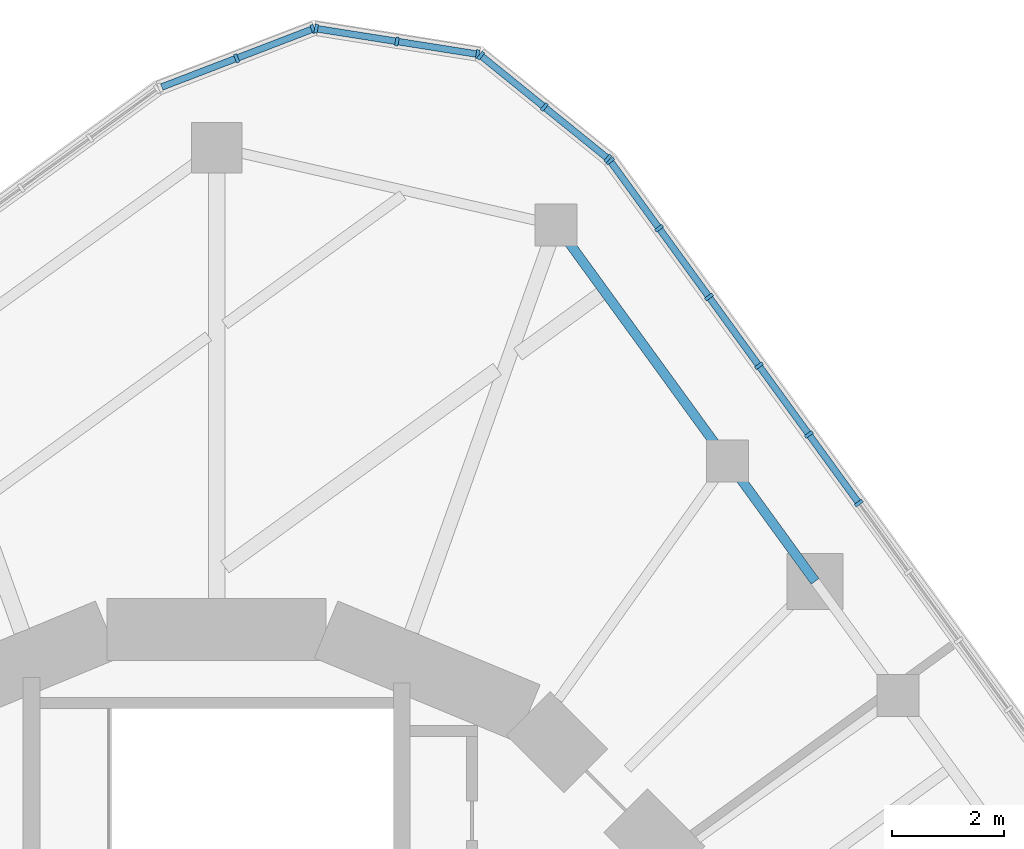
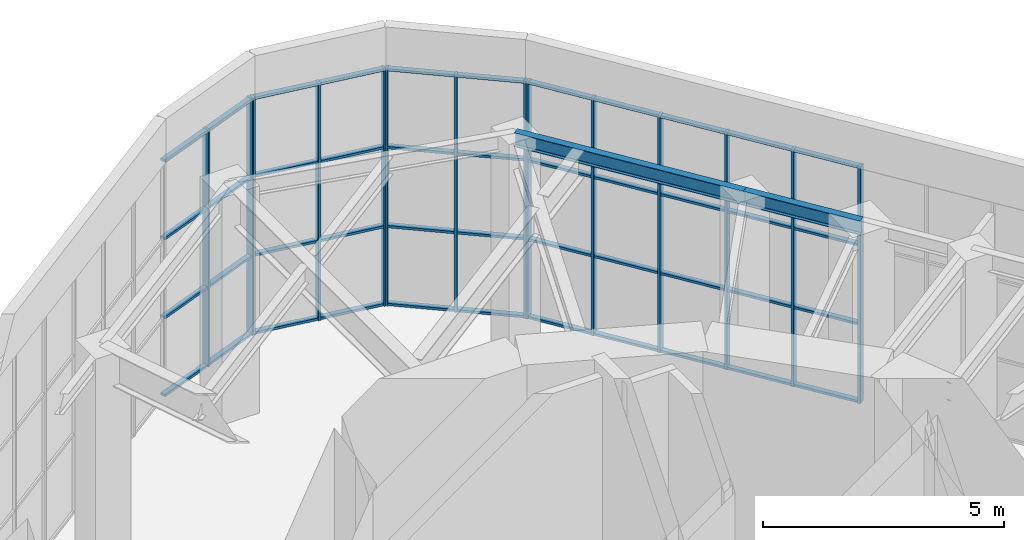
# One storey, part 10 of 17: 58 members, 2 beams, 4 elements without a shape of their own.
"""IFC4 building model written with IfcOpenShell, lengths in metres."""

from ifc_helpers import new_model, si_unit, direction, frame, origin, origin_2d, place, context, subcontext, project, spatial, rectangle, i_section, extrude, material, material_profile, profile_set, type_object, element, aggregate, save


model = new_model("IFC4")

# Units and contexts
model_context = context("Model", 3, precision=1e-05, world=origin(), true_north=direction((0.0, 1.0)))
body_context = subcontext(model_context, "Body", "Model", "MODEL_VIEW")
ifc_project = project(units=[si_unit("LENGTHUNIT", "METRE"), si_unit("AREAUNIT", "SQUARE_METRE"), si_unit("VOLUMEUNIT", "CUBIC_METRE"), si_unit("PLANEANGLEUNIT", "RADIAN"), si_unit("MASSUNIT", "GRAM", prefix="KILO")], contexts=[model_context])

# Site, building, storey
site_placement = place(None, origin())
site = spatial("IfcSite", under=ifc_project, at=site_placement, CompositionType="ELEMENT")
building_placement = place(site_placement, origin())
building = spatial("IfcBuilding", under=site, at=building_placement, Name="Nakasero Lantern House", CompositionType="ELEMENT")
storey_placement = place(building_placement, frame((0.0, 0.0, 304.39990234375)))
storey = spatial("IfcBuildingStorey", under=building, at=storey_placement, Name="L74", CompositionType="ELEMENT", Elevation=304.39990234375)

# Curtain wall, members
ifc_material_1 = material(Name="Aluminium 6063-T6 and glass", Category="aluminium")
curtain_wall_type = type_object("IfcCurtainWallType", Name="Lantern glazing CW-4", PredefinedType="USERDEFINED", material=ifc_material_1)
curtain_wall_1_placement = place(storey_placement, origin())
curtain_wall_1 = element("IfcCurtainWall", 1, at=curtain_wall_1_placement, inside=storey, type_object=curtain_wall_type, Name="Curtain wall CW-4 L74", ObjectType="UNITISED CURTAIN WALL", PredefinedType="USERDEFINED")
ifc_material_2 = material(Name="Aluminium 6063-T6", Category="aluminium")
ifc_material_profile_1 = material_profile(ifc_material_2, rectangle(XDim=0.06005859375, YDim=0.159912109375, at=origin_2d()), Name="CW-4 mullion 60x160")
ifc_profile_set_1 = profile_set([ifc_material_profile_1], Name="Aluminium 6063-T6")
member_type_1 = type_object("IfcMemberType", Name="Mullion CW-4", PredefinedType="MULLION", material=ifc_profile_set_1)
member_1_placement = place(storey_placement, frame((11.447265625, 12.060546875, 0.0), z_axis=(0.0, 0.0, 1.0), x_axis=(-0.587785252292, 0.809016994375, 0.0)))
member_1 = element("IfcMember", 2, at=member_1_placement, type_object=member_type_1, Name="CW-4 mullion 10", PredefinedType="MULLION", context=body_context, shape_type="SweptSolid", body=[
    extrude(rectangle(XDim=0.06005859375, YDim=0.159912109375, at=origin_2d()), origin(), (0.0, 0.0, 1.0), 6.0),
])
member_2_placement = place(storey_placement, frame((10.55712890625, 13.28564453125, 0.0), z_axis=(0.0, 0.0, 1.0), x_axis=(-0.587785252292, 0.809016994375, 0.0)))
member_2 = element("IfcMember", 3, at=member_2_placement, type_object=member_type_1, Name="CW-4 mullion 11", PredefinedType="MULLION", context=body_context, shape_type="SweptSolid", body=[
    extrude(rectangle(XDim=0.06005859375, YDim=0.159912109375, at=origin_2d()), origin(), (0.0, 0.0, 1.0), 6.0),
])
member_3_placement = place(storey_placement, frame((9.667236328125, 14.5107421875, 0.0), z_axis=(0.0, 0.0, 1.0), x_axis=(-0.587785252292, 0.809016994375, 0.0)))
member_3 = element("IfcMember", 4, at=member_3_placement, type_object=member_type_1, Name="CW-4 mullion 12", PredefinedType="MULLION", context=body_context, shape_type="SweptSolid", body=[
    extrude(rectangle(XDim=0.06005859375, YDim=0.159912109375, at=origin_2d()), origin(), (0.0, 0.0, 1.0), 6.0),
])
member_4_placement = place(storey_placement, frame((8.777099609375, 15.735595703125, 0.0), z_axis=(0.0, 0.0, 1.0), x_axis=(-0.587785252292, 0.809016994375, 0.0)))
member_4 = element("IfcMember", 5, at=member_4_placement, type_object=member_type_1, Name="CW-4 mullion 13", PredefinedType="MULLION", context=body_context, shape_type="SweptSolid", body=[
    extrude(rectangle(XDim=0.06005859375, YDim=0.159912109375, at=origin_2d()), origin(), (0.0, 0.0, 1.0), 6.0),
])
member_5_placement = place(storey_placement, frame((7.886962890625, 16.960693359375, 0.0), z_axis=(0.0, 0.0, 1.0), x_axis=(-0.587785252292, 0.809016994375, 0.0)))
member_5 = element("IfcMember", 6, at=member_5_placement, type_object=member_type_1, Name="CW-4 mullion 14", PredefinedType="MULLION", context=body_context, shape_type="SweptSolid", body=[
    extrude(rectangle(XDim=0.06005859375, YDim=0.159912109375, at=origin_2d()), origin(), (0.0, 0.0, 1.0), 6.0),
])
member_6_placement = place(storey_placement, frame((7.0146484375, 18.16162109375, 0.0), z_axis=(0.0, 0.0, 1.0), x_axis=(-0.587785252292, 0.809016994375, 0.0)))
member_6 = element("IfcMember", 7, at=member_6_placement, type_object=member_type_1, Name="CW-4 mullion 15", PredefinedType="MULLION", context=body_context, shape_type="SweptSolid", body=[
    extrude(rectangle(XDim=0.06005859375, YDim=0.159912109375, at=origin_2d()), origin(), (0.0, 0.0, 1.0), 6.0),
])

curtain_wall_2_placement = place(storey_placement, origin())
curtain_wall_2 = element("IfcCurtainWall", 8, at=curtain_wall_2_placement, inside=storey, type_object=curtain_wall_type, Name="Curtain wall CW-4 L74", ObjectType="UNITISED CURTAIN WALL", PredefinedType="USERDEFINED")
member_7_placement = place(storey_placement, frame((6.9736328125, 18.204833984375, 0.0), z_axis=(0.0, 0.0, 1.0), x_axis=(-0.777145961457, 0.62932039105, 0.0)))
member_7 = element("IfcMember", 9, at=member_7_placement, type_object=member_type_1, Name="CW-4 mullion 1", PredefinedType="MULLION", context=body_context, shape_type="SweptSolid", body=[
    extrude(rectangle(XDim=0.06005859375, YDim=0.159912109375, at=origin_2d()), origin(), (0.0, 0.0, 1.0), 6.0),
])
member_8_placement = place(storey_placement, frame((5.84033203125, 19.122314453125, 0.0), z_axis=(0.0, 0.0, 1.0), x_axis=(-0.777145961457, 0.62932039105, 0.0)))
member_8 = element("IfcMember", 10, at=member_8_placement, type_object=member_type_1, Name="CW-4 mullion 2", PredefinedType="MULLION", context=body_context, shape_type="SweptSolid", body=[
    extrude(rectangle(XDim=0.06005859375, YDim=0.159912109375, at=origin_2d()), origin(), (0.0, 0.0, 1.0), 6.0),
])
member_9_placement = place(storey_placement, frame((4.70703125, 20.0400390625, 0.0), z_axis=(0.0, 0.0, 1.0), x_axis=(-0.777145961457, 0.62932039105, 0.0)))
member_9 = element("IfcMember", 11, at=member_9_placement, type_object=member_type_1, Name="CW-4 mullion 3", PredefinedType="MULLION", context=body_context, shape_type="SweptSolid", body=[
    extrude(rectangle(XDim=0.06005859375, YDim=0.159912109375, at=origin_2d()), origin(), (0.0, 0.0, 1.0), 6.0),
])

curtain_wall_3_placement = place(storey_placement, origin())
curtain_wall_3 = element("IfcCurtainWall", 12, at=curtain_wall_3_placement, inside=storey, type_object=curtain_wall_type, Name="Curtain wall CW-4 L74", ObjectType="UNITISED CURTAIN WALL", PredefinedType="USERDEFINED")
member_10_placement = place(storey_placement, frame((4.654052734375, 20.063720703125, 0.0), z_axis=(0.0, 0.0, 1.0), x_axis=(-0.987688340595, 0.15643446504, 0.0)))
member_10 = element("IfcMember", 13, at=member_10_placement, type_object=member_type_1, Name="CW-4 mullion 1", PredefinedType="MULLION", context=body_context, shape_type="SweptSolid", body=[
    extrude(rectangle(XDim=0.06005859375, YDim=0.159912109375, at=origin_2d()), origin(), (0.0, 0.0, 1.0), 6.0),
])
member_11_placement = place(storey_placement, frame((3.2138671875, 20.291748046875, 0.0), z_axis=(0.0, 0.0, 1.0), x_axis=(-0.987688340595, 0.15643446504, 0.0)))
member_11 = element("IfcMember", 14, at=member_11_placement, type_object=member_type_1, Name="CW-4 mullion 2", PredefinedType="MULLION", context=body_context, shape_type="SweptSolid", body=[
    extrude(rectangle(XDim=0.06005859375, YDim=0.159912109375, at=origin_2d()), origin(), (0.0, 0.0, 1.0), 6.0),
])
member_12_placement = place(storey_placement, frame((1.773681640625, 20.52001953125, 0.0), z_axis=(0.0, 0.0, 1.0), x_axis=(-0.987688340595, 0.15643446504, 0.0)))
member_12 = element("IfcMember", 15, at=member_12_placement, type_object=member_type_1, Name="CW-4 mullion 3", PredefinedType="MULLION", context=body_context, shape_type="SweptSolid", body=[
    extrude(rectangle(XDim=0.06005859375, YDim=0.159912109375, at=origin_2d()), origin(), (0.0, 0.0, 1.0), 6.0),
])

curtain_wall_4_placement = place(storey_placement, origin())
curtain_wall_4 = element("IfcCurtainWall", 16, at=curtain_wall_4_placement, inside=storey, type_object=curtain_wall_type, Name="Curtain wall CW-4 L74", ObjectType="UNITISED CURTAIN WALL", PredefinedType="USERDEFINED")
member_13_placement = place(storey_placement, frame((1.716064453125, 20.513916015625, 0.0), z_axis=(0.0, 0.0, 1.0), x_axis=(-0.933580426497, -0.358367949545, 0.0)))
member_13 = element("IfcMember", 17, at=member_13_placement, type_object=member_type_1, Name="CW-4 mullion 1", PredefinedType="MULLION", context=body_context, shape_type="SweptSolid", body=[
    extrude(rectangle(XDim=0.06005859375, YDim=0.159912109375, at=origin_2d()), origin(), (0.0, 0.0, 1.0), 6.0),
])
member_14_placement = place(storey_placement, frame((0.354736328125, 19.9912109375, 0.0), z_axis=(0.0, 0.0, 1.0), x_axis=(-0.933580426497, -0.358367949545, 0.0)))
member_14 = element("IfcMember", 18, at=member_14_placement, type_object=member_type_1, Name="CW-4 mullion 2", PredefinedType="MULLION", context=body_context, shape_type="SweptSolid", body=[
    extrude(rectangle(XDim=0.06005859375, YDim=0.159912109375, at=origin_2d()), origin(), (0.0, 0.0, 1.0), 6.0),
])

# Beams
ifc_material_3 = material(Name="Steel S355", Category="steel")
ifc_material_profile_2 = material_profile(ifc_material_3, i_section(OverallWidth=0.17138671875, OverallDepth=0.35498046875, WebThickness=0.00732421875, FlangeThickness=0.011474609375, FilletRadius=0.01025390625, at=origin_2d()), Name="UB 356x171x51")
ifc_profile_set_2 = profile_set([ifc_material_profile_2], Name="Steel S355")
beam_type = type_object("IfcBeamType", Name="Ring beam UB 356x171x51", PredefinedType="BEAM", material=ifc_profile_set_2)
beam_1_placement = place(storey_placement, frame((10.667236328125, 10.667236328125, 5.572509765625), z_axis=(-0.587782635143, 0.809018895839, 0.0), x_axis=(-0.809018895839, -0.587782635143, 0.0)))
element("IfcBeam", 19, at=beam_1_placement, inside=storey, type_object=beam_type, Name="Ring beam ROOF B7-C06", PredefinedType="BEAM", context=body_context, shape_type="SweptSolid", body=[
    extrude(i_section(OverallWidth=0.17138671875, OverallDepth=0.35498046875, WebThickness=0.00732421875, FlangeThickness=0.011474609375, FilletRadius=0.01025390625, at=origin_2d()), origin(), (0.0, 0.0, 1.0), 2.649658203125),
])
beam_2_placement = place(storey_placement, frame((9.10986328125, 12.810791015625, 5.572509765625), z_axis=(-0.587806144414, 0.809001814948, 0.0), x_axis=(-0.809001814948, -0.587806144414, 0.0)))
element("IfcBeam", 20, at=beam_2_placement, inside=storey, type_object=beam_type, Name="Ring beam ROOF B7-C07", PredefinedType="BEAM", context=body_context, shape_type="SweptSolid", body=[
    extrude(i_section(OverallWidth=0.17138671875, OverallDepth=0.35498046875, WebThickness=0.00732421875, FlangeThickness=0.011474609375, FilletRadius=0.01025390625, at=origin_2d()), origin(), (0.0, 0.0, 1.0), 5.202880859375),
])

# Member
ifc_material_4 = material(Name="Aluminium 6063-T6", Category="aluminium")
ifc_material_profile_3 = material_profile(ifc_material_4, rectangle(XDim=0.06005859375, YDim=0.1201171875, at=origin_2d()), Name="CW-4 transom 60x120")
ifc_profile_set_3 = profile_set([ifc_material_profile_3], Name="Aluminium 6063-T6")
member_type_2 = type_object("IfcMemberType", Name="Transom CW-4", PredefinedType="USERDEFINED", material=ifc_profile_set_3)
member_15_placement = place(storey_placement, frame((11.4296875, 12.084716796875, 0.030029296875), z_axis=(-0.587762348068, 0.809033634773, 0.0), x_axis=(0.0, 0.0, 1.0)))
member_15 = element("IfcMember", 21, at=member_15_placement, type_object=member_type_2, Name="CW-4 transom 10.1", ObjectType="TRANSOM", PredefinedType="USERDEFINED", context=body_context, shape_type="SweptSolid", body=[
    extrude(rectangle(XDim=0.06005859375, YDim=0.1201171875, at=origin_2d()), origin(), (0.0, 0.0, 1.0), 1.4541015625),
])

member_16_placement = place(storey_placement, frame((11.4296875, 12.084716796875, 2.0), z_axis=(-0.587762348068, 0.809033634773, 0.0), x_axis=(0.0, 0.0, 1.0)))
member_16 = element("IfcMember", 22, at=member_16_placement, type_object=member_type_2, Name="CW-4 transom 10.2", ObjectType="TRANSOM", PredefinedType="USERDEFINED", context=body_context, shape_type="SweptSolid", body=[
    extrude(rectangle(XDim=0.06005859375, YDim=0.1201171875, at=origin_2d()), origin(), (0.0, 0.0, 1.0), 1.4541015625),
])

member_17_placement = place(storey_placement, frame((11.4296875, 12.084716796875, 4.0), z_axis=(-0.587762348068, 0.809033634773, 0.0), x_axis=(0.0, 0.0, 1.0)))
member_17 = element("IfcMember", 23, at=member_17_placement, type_object=member_type_2, Name="CW-4 transom 10.3", ObjectType="TRANSOM", PredefinedType="USERDEFINED", context=body_context, shape_type="SweptSolid", body=[
    extrude(rectangle(XDim=0.06005859375, YDim=0.1201171875, at=origin_2d()), origin(), (0.0, 0.0, 1.0), 1.4541015625),
])

member_18_placement = place(storey_placement, frame((11.4296875, 12.084716796875, 5.97021484375), z_axis=(-0.587762348068, 0.809033634773, 0.0), x_axis=(0.0, 0.0, 1.0)))
member_18 = element("IfcMember", 24, at=member_18_placement, type_object=member_type_2, Name="CW-4 transom 10.4", ObjectType="TRANSOM", PredefinedType="USERDEFINED", context=body_context, shape_type="SweptSolid", body=[
    extrude(rectangle(XDim=0.06005859375, YDim=0.1201171875, at=origin_2d()), origin(), (0.0, 0.0, 1.0), 1.4541015625),
])

member_19_placement = place(storey_placement, frame((10.53955078125, 13.309814453125, 0.030029296875), z_axis=(-0.587762348068, 0.809033634773, 0.0), x_axis=(0.0, 0.0, 1.0)))
member_19 = element("IfcMember", 25, at=member_19_placement, type_object=member_type_2, Name="CW-4 transom 11.1", ObjectType="TRANSOM", PredefinedType="USERDEFINED", context=body_context, shape_type="SweptSolid", body=[
    extrude(rectangle(XDim=0.06005859375, YDim=0.1201171875, at=origin_2d()), origin(), (0.0, 0.0, 1.0), 1.4541015625),
])

member_20_placement = place(storey_placement, frame((10.53955078125, 13.309814453125, 2.0), z_axis=(-0.587762348068, 0.809033634773, 0.0), x_axis=(0.0, 0.0, 1.0)))
member_20 = element("IfcMember", 26, at=member_20_placement, type_object=member_type_2, Name="CW-4 transom 11.2", ObjectType="TRANSOM", PredefinedType="USERDEFINED", context=body_context, shape_type="SweptSolid", body=[
    extrude(rectangle(XDim=0.06005859375, YDim=0.1201171875, at=origin_2d()), origin(), (0.0, 0.0, 1.0), 1.4541015625),
])

member_21_placement = place(storey_placement, frame((10.53955078125, 13.309814453125, 4.0), z_axis=(-0.587762348068, 0.809033634773, 0.0), x_axis=(0.0, 0.0, 1.0)))
member_21 = element("IfcMember", 27, at=member_21_placement, type_object=member_type_2, Name="CW-4 transom 11.3", ObjectType="TRANSOM", PredefinedType="USERDEFINED", context=body_context, shape_type="SweptSolid", body=[
    extrude(rectangle(XDim=0.06005859375, YDim=0.1201171875, at=origin_2d()), origin(), (0.0, 0.0, 1.0), 1.4541015625),
])

member_22_placement = place(storey_placement, frame((10.53955078125, 13.309814453125, 5.97021484375), z_axis=(-0.587762348068, 0.809033634773, 0.0), x_axis=(0.0, 0.0, 1.0)))
member_22 = element("IfcMember", 28, at=member_22_placement, type_object=member_type_2, Name="CW-4 transom 11.4", ObjectType="TRANSOM", PredefinedType="USERDEFINED", context=body_context, shape_type="SweptSolid", body=[
    extrude(rectangle(XDim=0.06005859375, YDim=0.1201171875, at=origin_2d()), origin(), (0.0, 0.0, 1.0), 1.4541015625),
])

member_23_placement = place(storey_placement, frame((9.6494140625, 14.534912109375, 0.030029296875), z_axis=(-0.587762348068, 0.809033634773, 0.0), x_axis=(0.0, 0.0, 1.0)))
member_23 = element("IfcMember", 29, at=member_23_placement, type_object=member_type_2, Name="CW-4 transom 12.1", ObjectType="TRANSOM", PredefinedType="USERDEFINED", context=body_context, shape_type="SweptSolid", body=[
    extrude(rectangle(XDim=0.06005859375, YDim=0.1201171875, at=origin_2d()), origin(), (0.0, 0.0, 1.0), 1.4541015625),
])

member_24_placement = place(storey_placement, frame((9.6494140625, 14.534912109375, 2.0), z_axis=(-0.587762348068, 0.809033634773, 0.0), x_axis=(0.0, 0.0, 1.0)))
member_24 = element("IfcMember", 30, at=member_24_placement, type_object=member_type_2, Name="CW-4 transom 12.2", ObjectType="TRANSOM", PredefinedType="USERDEFINED", context=body_context, shape_type="SweptSolid", body=[
    extrude(rectangle(XDim=0.06005859375, YDim=0.1201171875, at=origin_2d()), origin(), (0.0, 0.0, 1.0), 1.4541015625),
])

member_25_placement = place(storey_placement, frame((9.6494140625, 14.534912109375, 4.0), z_axis=(-0.587762348068, 0.809033634773, 0.0), x_axis=(0.0, 0.0, 1.0)))
member_25 = element("IfcMember", 31, at=member_25_placement, type_object=member_type_2, Name="CW-4 transom 12.3", ObjectType="TRANSOM", PredefinedType="USERDEFINED", context=body_context, shape_type="SweptSolid", body=[
    extrude(rectangle(XDim=0.06005859375, YDim=0.1201171875, at=origin_2d()), origin(), (0.0, 0.0, 1.0), 1.4541015625),
])

member_26_placement = place(storey_placement, frame((9.6494140625, 14.534912109375, 5.97021484375), z_axis=(-0.587762348068, 0.809033634773, 0.0), x_axis=(0.0, 0.0, 1.0)))
member_26 = element("IfcMember", 32, at=member_26_placement, type_object=member_type_2, Name="CW-4 transom 12.4", ObjectType="TRANSOM", PredefinedType="USERDEFINED", context=body_context, shape_type="SweptSolid", body=[
    extrude(rectangle(XDim=0.06005859375, YDim=0.1201171875, at=origin_2d()), origin(), (0.0, 0.0, 1.0), 1.4541015625),
])

member_27_placement = place(storey_placement, frame((8.759521484375, 15.760009765625, 0.030029296875), z_axis=(-0.587872217916, 0.808953803009, 0.0), x_axis=(0.0, 0.0, 1.0)))
member_27 = element("IfcMember", 33, at=member_27_placement, type_object=member_type_2, Name="CW-4 transom 13.1", ObjectType="TRANSOM", PredefinedType="USERDEFINED", context=body_context, shape_type="SweptSolid", body=[
    extrude(rectangle(XDim=0.06005859375, YDim=0.1201171875, at=origin_2d()), origin(), (0.0, 0.0, 1.0), 1.454345703125),
])

member_28_placement = place(storey_placement, frame((8.759521484375, 15.760009765625, 2.0), z_axis=(-0.587872217916, 0.808953803009, 0.0), x_axis=(0.0, 0.0, 1.0)))
member_28 = element("IfcMember", 34, at=member_28_placement, type_object=member_type_2, Name="CW-4 transom 13.2", ObjectType="TRANSOM", PredefinedType="USERDEFINED", context=body_context, shape_type="SweptSolid", body=[
    extrude(rectangle(XDim=0.06005859375, YDim=0.1201171875, at=origin_2d()), origin(), (0.0, 0.0, 1.0), 1.454345703125),
])

member_29_placement = place(storey_placement, frame((8.759521484375, 15.760009765625, 4.0), z_axis=(-0.587872217916, 0.808953803009, 0.0), x_axis=(0.0, 0.0, 1.0)))
member_29 = element("IfcMember", 35, at=member_29_placement, type_object=member_type_2, Name="CW-4 transom 13.3", ObjectType="TRANSOM", PredefinedType="USERDEFINED", context=body_context, shape_type="SweptSolid", body=[
    extrude(rectangle(XDim=0.06005859375, YDim=0.1201171875, at=origin_2d()), origin(), (0.0, 0.0, 1.0), 1.454345703125),
])

member_30_placement = place(storey_placement, frame((8.759521484375, 15.760009765625, 5.97021484375), z_axis=(-0.587872217916, 0.808953803009, 0.0), x_axis=(0.0, 0.0, 1.0)))
member_30 = element("IfcMember", 36, at=member_30_placement, type_object=member_type_2, Name="CW-4 transom 13.4", ObjectType="TRANSOM", PredefinedType="USERDEFINED", context=body_context, shape_type="SweptSolid", body=[
    extrude(rectangle(XDim=0.06005859375, YDim=0.1201171875, at=origin_2d()), origin(), (0.0, 0.0, 1.0), 1.454345703125),
])

member_31_placement = place(storey_placement, frame((7.869384765625, 16.985107421875, 0.030029296875), z_axis=(-0.587835272309, 0.808980650343, 0.0), x_axis=(0.0, 0.0, 1.0)))
member_31 = element("IfcMember", 37, at=member_31_placement, type_object=member_type_2, Name="CW-4 transom 14.1", ObjectType="TRANSOM", PredefinedType="USERDEFINED", context=body_context, shape_type="SweptSolid", body=[
    extrude(rectangle(XDim=0.06005859375, YDim=0.1201171875, at=origin_2d()), origin(), (0.0, 0.0, 1.0), 1.424072265625),
])

member_32_placement = place(storey_placement, frame((7.869384765625, 16.985107421875, 2.0), z_axis=(-0.587835272309, 0.808980650343, 0.0), x_axis=(0.0, 0.0, 1.0)))
member_32 = element("IfcMember", 38, at=member_32_placement, type_object=member_type_2, Name="CW-4 transom 14.2", ObjectType="TRANSOM", PredefinedType="USERDEFINED", context=body_context, shape_type="SweptSolid", body=[
    extrude(rectangle(XDim=0.06005859375, YDim=0.1201171875, at=origin_2d()), origin(), (0.0, 0.0, 1.0), 1.424072265625),
])

member_33_placement = place(storey_placement, frame((7.869384765625, 16.985107421875, 4.0), z_axis=(-0.587835272309, 0.808980650343, 0.0), x_axis=(0.0, 0.0, 1.0)))
member_33 = element("IfcMember", 39, at=member_33_placement, type_object=member_type_2, Name="CW-4 transom 14.3", ObjectType="TRANSOM", PredefinedType="USERDEFINED", context=body_context, shape_type="SweptSolid", body=[
    extrude(rectangle(XDim=0.06005859375, YDim=0.1201171875, at=origin_2d()), origin(), (0.0, 0.0, 1.0), 1.424072265625),
])

member_34_placement = place(storey_placement, frame((7.869384765625, 16.985107421875, 5.97021484375), z_axis=(-0.587835272309, 0.808980650343, 0.0), x_axis=(0.0, 0.0, 1.0)))
member_34 = element("IfcMember", 40, at=member_34_placement, type_object=member_type_2, Name="CW-4 transom 14.4", ObjectType="TRANSOM", PredefinedType="USERDEFINED", context=body_context, shape_type="SweptSolid", body=[
    extrude(rectangle(XDim=0.06005859375, YDim=0.1201171875, at=origin_2d()), origin(), (0.0, 0.0, 1.0), 1.424072265625),
])

aggregate(curtain_wall_1, [member_1, member_2, member_3, member_4, member_5, member_6, member_15, member_16, member_17, member_18, member_19, member_20, member_21, member_22, member_23, member_24, member_25, member_26, member_27, member_28, member_29, member_30, member_31, member_32, member_33, member_34])

member_35_placement = place(storey_placement, frame((6.9501953125, 18.2236328125, 0.030029296875), z_axis=(-0.777106582707, 0.629369016646, 0.0), x_axis=(0.0, 0.0, 1.0)))
member_35 = element("IfcMember", 41, at=member_35_placement, type_object=member_type_2, Name="CW-4 transom 1.1", ObjectType="TRANSOM", PredefinedType="USERDEFINED", context=body_context, shape_type="SweptSolid", body=[
    extrude(rectangle(XDim=0.06005859375, YDim=0.1201171875, at=origin_2d()), origin(), (0.0, 0.0, 1.0), 1.39794921875),
])

member_36_placement = place(storey_placement, frame((6.9501953125, 18.2236328125, 2.0), z_axis=(-0.777106582707, 0.629369016646, 0.0), x_axis=(0.0, 0.0, 1.0)))
member_36 = element("IfcMember", 42, at=member_36_placement, type_object=member_type_2, Name="CW-4 transom 1.2", ObjectType="TRANSOM", PredefinedType="USERDEFINED", context=body_context, shape_type="SweptSolid", body=[
    extrude(rectangle(XDim=0.06005859375, YDim=0.1201171875, at=origin_2d()), origin(), (0.0, 0.0, 1.0), 1.39794921875),
])

member_37_placement = place(storey_placement, frame((6.9501953125, 18.2236328125, 4.0), z_axis=(-0.777106582707, 0.629369016646, 0.0), x_axis=(0.0, 0.0, 1.0)))
member_37 = element("IfcMember", 43, at=member_37_placement, type_object=member_type_2, Name="CW-4 transom 1.3", ObjectType="TRANSOM", PredefinedType="USERDEFINED", context=body_context, shape_type="SweptSolid", body=[
    extrude(rectangle(XDim=0.06005859375, YDim=0.1201171875, at=origin_2d()), origin(), (0.0, 0.0, 1.0), 1.39794921875),
])

member_38_placement = place(storey_placement, frame((6.9501953125, 18.2236328125, 5.97021484375), z_axis=(-0.777106582707, 0.629369016646, 0.0), x_axis=(0.0, 0.0, 1.0)))
member_38 = element("IfcMember", 44, at=member_38_placement, type_object=member_type_2, Name="CW-4 transom 1.4", ObjectType="TRANSOM", PredefinedType="USERDEFINED", context=body_context, shape_type="SweptSolid", body=[
    extrude(rectangle(XDim=0.06005859375, YDim=0.1201171875, at=origin_2d()), origin(), (0.0, 0.0, 1.0), 1.39794921875),
])

member_39_placement = place(storey_placement, frame((5.817138671875, 19.141357421875, 0.030029296875), z_axis=(-0.777175740781, 0.629283614868, 0.0), x_axis=(0.0, 0.0, 1.0)))
member_39 = element("IfcMember", 45, at=member_39_placement, type_object=member_type_2, Name="CW-4 transom 2.1", ObjectType="TRANSOM", PredefinedType="USERDEFINED", context=body_context, shape_type="SweptSolid", body=[
    extrude(rectangle(XDim=0.06005859375, YDim=0.1201171875, at=origin_2d()), origin(), (0.0, 0.0, 1.0), 1.398193359375),
])

member_40_placement = place(storey_placement, frame((5.817138671875, 19.141357421875, 2.0), z_axis=(-0.777175740781, 0.629283614868, 0.0), x_axis=(0.0, 0.0, 1.0)))
member_40 = element("IfcMember", 46, at=member_40_placement, type_object=member_type_2, Name="CW-4 transom 2.2", ObjectType="TRANSOM", PredefinedType="USERDEFINED", context=body_context, shape_type="SweptSolid", body=[
    extrude(rectangle(XDim=0.06005859375, YDim=0.1201171875, at=origin_2d()), origin(), (0.0, 0.0, 1.0), 1.398193359375),
])

member_41_placement = place(storey_placement, frame((5.817138671875, 19.141357421875, 4.0), z_axis=(-0.777175740781, 0.629283614868, 0.0), x_axis=(0.0, 0.0, 1.0)))
member_41 = element("IfcMember", 47, at=member_41_placement, type_object=member_type_2, Name="CW-4 transom 2.3", ObjectType="TRANSOM", PredefinedType="USERDEFINED", context=body_context, shape_type="SweptSolid", body=[
    extrude(rectangle(XDim=0.06005859375, YDim=0.1201171875, at=origin_2d()), origin(), (0.0, 0.0, 1.0), 1.398193359375),
])

member_42_placement = place(storey_placement, frame((5.817138671875, 19.141357421875, 5.97021484375), z_axis=(-0.777175740781, 0.629283614868, 0.0), x_axis=(0.0, 0.0, 1.0)))
member_42 = element("IfcMember", 48, at=member_42_placement, type_object=member_type_2, Name="CW-4 transom 2.4", ObjectType="TRANSOM", PredefinedType="USERDEFINED", context=body_context, shape_type="SweptSolid", body=[
    extrude(rectangle(XDim=0.06005859375, YDim=0.1201171875, at=origin_2d()), origin(), (0.0, 0.0, 1.0), 1.398193359375),
])

aggregate(curtain_wall_2, [member_7, member_8, member_9, member_35, member_36, member_37, member_38, member_39, member_40, member_41, member_42])

member_43_placement = place(storey_placement, frame((4.62451171875, 20.068359375, 0.030029296875), z_axis=(-0.987683548127, 0.156464720495, 0.0), x_axis=(0.0, 0.0, 1.0)))
member_43 = element("IfcMember", 49, at=member_43_placement, type_object=member_type_2, Name="CW-4 transom 1.1", ObjectType="TRANSOM", PredefinedType="USERDEFINED", context=body_context, shape_type="SweptSolid", body=[
    extrude(rectangle(XDim=0.06005859375, YDim=0.1201171875, at=origin_2d()), origin(), (0.0, 0.0, 1.0), 1.398193359375),
])

member_44_placement = place(storey_placement, frame((4.62451171875, 20.068359375, 2.0), z_axis=(-0.987683548127, 0.156464720495, 0.0), x_axis=(0.0, 0.0, 1.0)))
member_44 = element("IfcMember", 50, at=member_44_placement, type_object=member_type_2, Name="CW-4 transom 1.2", ObjectType="TRANSOM", PredefinedType="USERDEFINED", context=body_context, shape_type="SweptSolid", body=[
    extrude(rectangle(XDim=0.06005859375, YDim=0.1201171875, at=origin_2d()), origin(), (0.0, 0.0, 1.0), 1.398193359375),
])

member_45_placement = place(storey_placement, frame((4.62451171875, 20.068359375, 4.0), z_axis=(-0.987683548127, 0.156464720495, 0.0), x_axis=(0.0, 0.0, 1.0)))
member_45 = element("IfcMember", 51, at=member_45_placement, type_object=member_type_2, Name="CW-4 transom 1.3", ObjectType="TRANSOM", PredefinedType="USERDEFINED", context=body_context, shape_type="SweptSolid", body=[
    extrude(rectangle(XDim=0.06005859375, YDim=0.1201171875, at=origin_2d()), origin(), (0.0, 0.0, 1.0), 1.398193359375),
])

member_46_placement = place(storey_placement, frame((4.62451171875, 20.068359375, 5.97021484375), z_axis=(-0.987683548127, 0.156464720495, 0.0), x_axis=(0.0, 0.0, 1.0)))
member_46 = element("IfcMember", 52, at=member_46_placement, type_object=member_type_2, Name="CW-4 transom 1.4", ObjectType="TRANSOM", PredefinedType="USERDEFINED", context=body_context, shape_type="SweptSolid", body=[
    extrude(rectangle(XDim=0.06005859375, YDim=0.1201171875, at=origin_2d()), origin(), (0.0, 0.0, 1.0), 1.398193359375),
])

member_47_placement = place(storey_placement, frame((3.184326171875, 20.29638671875, 0.030029296875), z_axis=(-0.987687822072, 0.156437738833, 0.0), x_axis=(0.0, 0.0, 1.0)))
member_47 = element("IfcMember", 53, at=member_47_placement, type_object=member_type_2, Name="CW-4 transom 2.1", ObjectType="TRANSOM", PredefinedType="USERDEFINED", context=body_context, shape_type="SweptSolid", body=[
    extrude(rectangle(XDim=0.06005859375, YDim=0.1201171875, at=origin_2d()), origin(), (0.0, 0.0, 1.0), 1.3984375),
])

member_48_placement = place(storey_placement, frame((3.184326171875, 20.29638671875, 2.0), z_axis=(-0.987687822072, 0.156437738833, 0.0), x_axis=(0.0, 0.0, 1.0)))
member_48 = element("IfcMember", 54, at=member_48_placement, type_object=member_type_2, Name="CW-4 transom 2.2", ObjectType="TRANSOM", PredefinedType="USERDEFINED", context=body_context, shape_type="SweptSolid", body=[
    extrude(rectangle(XDim=0.06005859375, YDim=0.1201171875, at=origin_2d()), origin(), (0.0, 0.0, 1.0), 1.3984375),
])

member_49_placement = place(storey_placement, frame((3.184326171875, 20.29638671875, 4.0), z_axis=(-0.987687822072, 0.156437738833, 0.0), x_axis=(0.0, 0.0, 1.0)))
member_49 = element("IfcMember", 55, at=member_49_placement, type_object=member_type_2, Name="CW-4 transom 2.3", ObjectType="TRANSOM", PredefinedType="USERDEFINED", context=body_context, shape_type="SweptSolid", body=[
    extrude(rectangle(XDim=0.06005859375, YDim=0.1201171875, at=origin_2d()), origin(), (0.0, 0.0, 1.0), 1.3984375),
])

member_50_placement = place(storey_placement, frame((3.184326171875, 20.29638671875, 5.97021484375), z_axis=(-0.987687822072, 0.156437738833, 0.0), x_axis=(0.0, 0.0, 1.0)))
member_50 = element("IfcMember", 56, at=member_50_placement, type_object=member_type_2, Name="CW-4 transom 2.4", ObjectType="TRANSOM", PredefinedType="USERDEFINED", context=body_context, shape_type="SweptSolid", body=[
    extrude(rectangle(XDim=0.06005859375, YDim=0.1201171875, at=origin_2d()), origin(), (0.0, 0.0, 1.0), 1.3984375),
])

aggregate(curtain_wall_3, [member_10, member_11, member_12, member_43, member_44, member_45, member_46, member_47, member_48, member_49, member_50])

member_51_placement = place(storey_placement, frame((1.68798828125, 20.503173828125, 0.030029296875), z_axis=(-0.933552443557, -0.358440839092, 0.0), x_axis=(0.0, 0.0, 1.0)))
member_51 = element("IfcMember", 57, at=member_51_placement, type_object=member_type_2, Name="CW-4 transom 1.1", ObjectType="TRANSOM", PredefinedType="USERDEFINED", context=body_context, shape_type="SweptSolid", body=[
    extrude(rectangle(XDim=0.06005859375, YDim=0.1201171875, at=origin_2d()), origin(), (0.0, 0.0, 1.0), 1.3984375),
])

member_52_placement = place(storey_placement, frame((1.68798828125, 20.503173828125, 2.0), z_axis=(-0.933552443557, -0.358440839092, 0.0), x_axis=(0.0, 0.0, 1.0)))
member_52 = element("IfcMember", 58, at=member_52_placement, type_object=member_type_2, Name="CW-4 transom 1.2", ObjectType="TRANSOM", PredefinedType="USERDEFINED", context=body_context, shape_type="SweptSolid", body=[
    extrude(rectangle(XDim=0.06005859375, YDim=0.1201171875, at=origin_2d()), origin(), (0.0, 0.0, 1.0), 1.3984375),
])

member_53_placement = place(storey_placement, frame((1.68798828125, 20.503173828125, 4.0), z_axis=(-0.933552443557, -0.358440839092, 0.0), x_axis=(0.0, 0.0, 1.0)))
member_53 = element("IfcMember", 59, at=member_53_placement, type_object=member_type_2, Name="CW-4 transom 1.3", ObjectType="TRANSOM", PredefinedType="USERDEFINED", context=body_context, shape_type="SweptSolid", body=[
    extrude(rectangle(XDim=0.06005859375, YDim=0.1201171875, at=origin_2d()), origin(), (0.0, 0.0, 1.0), 1.3984375),
])

member_54_placement = place(storey_placement, frame((1.68798828125, 20.503173828125, 5.97021484375), z_axis=(-0.933552443557, -0.358440839092, 0.0), x_axis=(0.0, 0.0, 1.0)))
member_54 = element("IfcMember", 60, at=member_54_placement, type_object=member_type_2, Name="CW-4 transom 1.4", ObjectType="TRANSOM", PredefinedType="USERDEFINED", context=body_context, shape_type="SweptSolid", body=[
    extrude(rectangle(XDim=0.06005859375, YDim=0.1201171875, at=origin_2d()), origin(), (0.0, 0.0, 1.0), 1.3984375),
])

member_55_placement = place(storey_placement, frame((0.32666015625, 19.98046875, 0.030029296875), z_axis=(-0.93361085793, -0.35828866289, 0.0), x_axis=(0.0, 0.0, 1.0)))
member_55 = element("IfcMember", 61, at=member_55_placement, type_object=member_type_2, Name="CW-4 transom 2.1", ObjectType="TRANSOM", PredefinedType="USERDEFINED", context=body_context, shape_type="SweptSolid", body=[
    extrude(rectangle(XDim=0.06005859375, YDim=0.1201171875, at=origin_2d()), origin(), (0.0, 0.0, 1.0), 1.398193359375),
])

member_56_placement = place(storey_placement, frame((0.32666015625, 19.98046875, 2.0), z_axis=(-0.93361085793, -0.35828866289, 0.0), x_axis=(0.0, 0.0, 1.0)))
member_56 = element("IfcMember", 62, at=member_56_placement, type_object=member_type_2, Name="CW-4 transom 2.2", ObjectType="TRANSOM", PredefinedType="USERDEFINED", context=body_context, shape_type="SweptSolid", body=[
    extrude(rectangle(XDim=0.06005859375, YDim=0.1201171875, at=origin_2d()), origin(), (0.0, 0.0, 1.0), 1.398193359375),
])

member_57_placement = place(storey_placement, frame((0.32666015625, 19.98046875, 4.0), z_axis=(-0.93361085793, -0.35828866289, 0.0), x_axis=(0.0, 0.0, 1.0)))
member_57 = element("IfcMember", 63, at=member_57_placement, type_object=member_type_2, Name="CW-4 transom 2.3", ObjectType="TRANSOM", PredefinedType="USERDEFINED", context=body_context, shape_type="SweptSolid", body=[
    extrude(rectangle(XDim=0.06005859375, YDim=0.1201171875, at=origin_2d()), origin(), (0.0, 0.0, 1.0), 1.398193359375),
])

member_58_placement = place(storey_placement, frame((0.32666015625, 19.98046875, 5.97021484375), z_axis=(-0.93361085793, -0.35828866289, 0.0), x_axis=(0.0, 0.0, 1.0)))
member_58 = element("IfcMember", 64, at=member_58_placement, type_object=member_type_2, Name="CW-4 transom 2.4", ObjectType="TRANSOM", PredefinedType="USERDEFINED", context=body_context, shape_type="SweptSolid", body=[
    extrude(rectangle(XDim=0.06005859375, YDim=0.1201171875, at=origin_2d()), origin(), (0.0, 0.0, 1.0), 1.398193359375),
])

aggregate(curtain_wall_4, [member_13, member_14, member_51, member_52, member_53, member_54, member_55, member_56, member_57, member_58])

save(model, "model.ifc")
